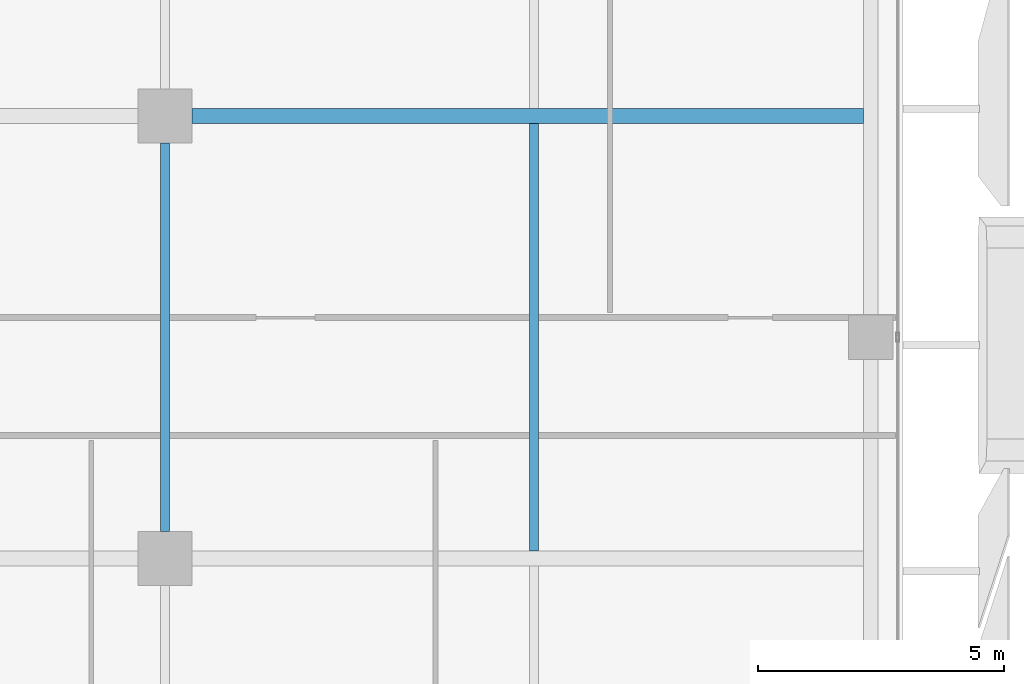
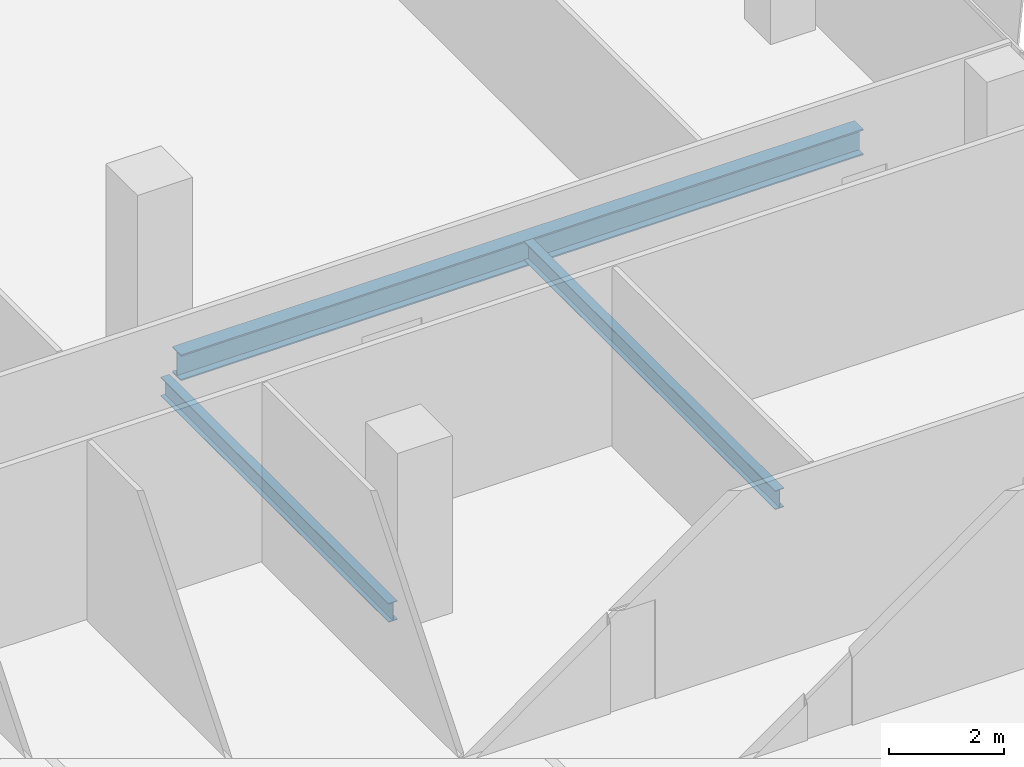
# One storey, part 12 of 33: 3 beams.
"""IFC4 building model written with IfcOpenShell, lengths in metres."""

from ifc_helpers import new_model, si_unit, direction, frame, origin, origin_2d, place, context, subcontext, project, spatial, i_section, extrude, source, transform, mapped, material, material_profile, profile_set, type_object, element, save


model = new_model("IFC4")

# Units and contexts
model_context = context("Model", 3, precision=1e-05, world=origin(), true_north=direction((0.0, 1.0)))
body_context = subcontext(model_context, "Body", "Model", "MODEL_VIEW")
ifc_project = project(units=[si_unit("LENGTHUNIT", "METRE"), si_unit("AREAUNIT", "SQUARE_METRE"), si_unit("VOLUMEUNIT", "CUBIC_METRE"), si_unit("PLANEANGLEUNIT", "RADIAN"), si_unit("MASSUNIT", "GRAM", prefix="KILO")], contexts=[model_context])

# Site, building, storey
site_placement = place(None, origin())
site = spatial("IfcSite", under=ifc_project, at=site_placement, CompositionType="ELEMENT")
building_placement = place(site_placement, origin())
building = spatial("IfcBuilding", under=site, at=building_placement, Name="Khomas Fold Tower", CompositionType="ELEMENT")
storey_placement = place(building_placement, frame((0.0, 0.0, 234.199951171875)))
storey = spatial("IfcBuildingStorey", under=building, at=storey_placement, Name="L52", CompositionType="ELEMENT", Elevation=234.199951171875)

# Beams
ifc_material_1 = material(Name="Steel S355", Category="steel")
ifc_material_profile_1 = material_profile(ifc_material_1, i_section(OverallWidth=0.179931640625, OverallDepth=0.39990234375, WebThickness=0.008544921875, FlangeThickness=0.013427734375, at=origin_2d()), Name="IPE 400")
ifc_profile_set_1 = profile_set([ifc_material_profile_1], Name="Steel S355")
beam_type_1 = type_object("IfcBeamType", Name="IPE 400 beam JB3", PredefinedType="BEAM", material=ifc_profile_set_1)
shared_shape_1 = source(origin(), body_context, "Body", "SweptSolid", [
    extrude(i_section(OverallWidth=0.179931640625, OverallDepth=0.39990234375, WebThickness=0.008544921875, FlangeThickness=0.013427734375, at=origin_2d()), origin(), (0.0, 0.0, 1.0), 8.7001953125),
])
beam_1_placement = place(storey_placement, frame((42.0, 22.64990234375, -0.449951171875), z_axis=(0.0, 1.0, 0.0), x_axis=(-1.0, 0.0, 0.0)))
element("IfcBeam", 1, at=beam_1_placement, inside=storey, type_object=beam_type_1, Name="JB3", PredefinedType="BEAM", context=body_context, shape_type="MappedRepresentation", body=[
    mapped(shared_shape_1, transform((0.0, 0.0, 0.0))),
])
ifc_material_2 = material(Name="Steel S355", Category="steel")
ifc_material_profile_2 = material_profile(ifc_material_2, i_section(OverallWidth=0.300048828125, OverallDepth=0.550048828125, WebThickness=0.014892578125, FlangeThickness=0.029052734375, at=origin_2d()), Name="HE 550 B")
ifc_profile_set_2 = profile_set([ifc_material_profile_2], Name="Steel S355")
beam_type_2 = type_object("IfcBeamType", Name="HE 550 B beam GB4", PredefinedType="BEAM", material=ifc_profile_set_2)
shared_shape_2 = source(origin(), body_context, "Body", "SweptSolid", [
    extrude(i_section(OverallWidth=0.300048828125, OverallDepth=0.550048828125, WebThickness=0.014892578125, FlangeThickness=0.029052734375, at=origin_2d()), origin(), (0.0, 0.0, 1.0), 13.64990234375),
])
beam_2_placement = place(storey_placement, frame((35.050048828125, 31.5, -0.52490234375), z_axis=(1.0, 0.0, 0.0), x_axis=(0.0, 1.0, 0.0)))
element("IfcBeam", 2, at=beam_2_placement, inside=storey, type_object=beam_type_2, Name="GB4", PredefinedType="BEAM", context=body_context, shape_type="MappedRepresentation", body=[
    mapped(shared_shape_2, transform((0.0, 0.0, 0.0))),
])
shared_shape_3 = source(origin(), body_context, "Body", "SweptSolid", [
    extrude(i_section(OverallWidth=0.179931640625, OverallDepth=0.39990234375, WebThickness=0.008544921875, FlangeThickness=0.013427734375, at=origin_2d()), origin(), (0.0, 0.0, 1.0), 7.89990234375),
])
beam_3_placement = place(storey_placement, frame((34.5, 23.050048828125, -0.449951171875), z_axis=(0.0, 1.0, 0.0), x_axis=(-1.0, 0.0, 0.0)))
element("IfcBeam", 3, at=beam_3_placement, inside=storey, type_object=beam_type_1, Name="JB3", PredefinedType="BEAM", context=body_context, shape_type="MappedRepresentation", body=[
    mapped(shared_shape_3, transform((0.0, 0.0, 0.0))),
])

save(model, "model.ifc")
